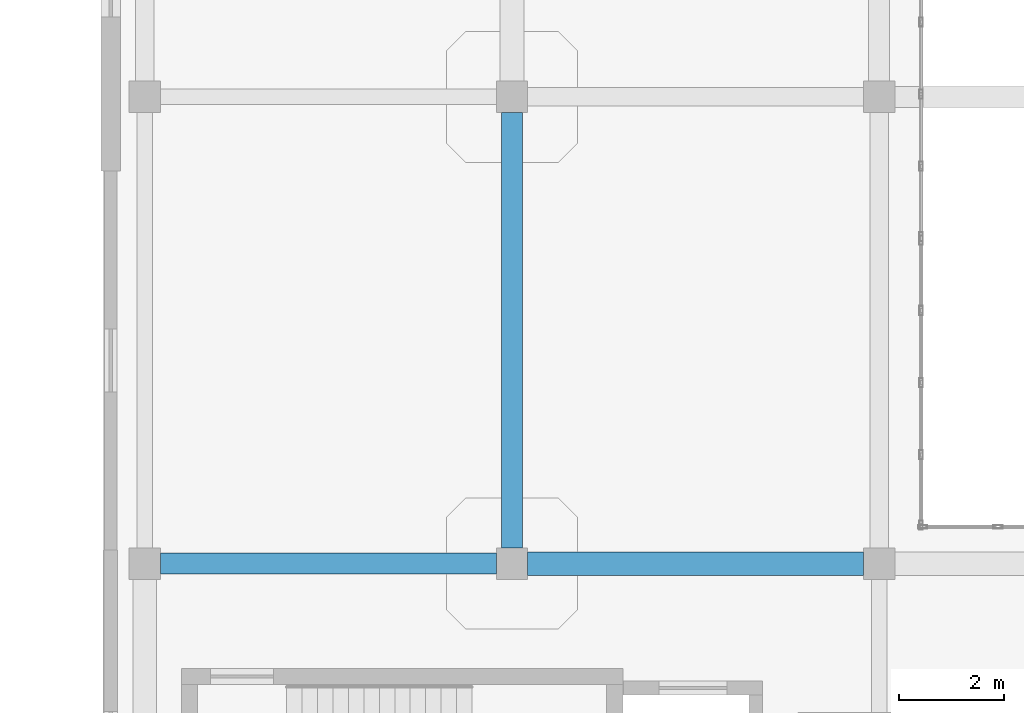
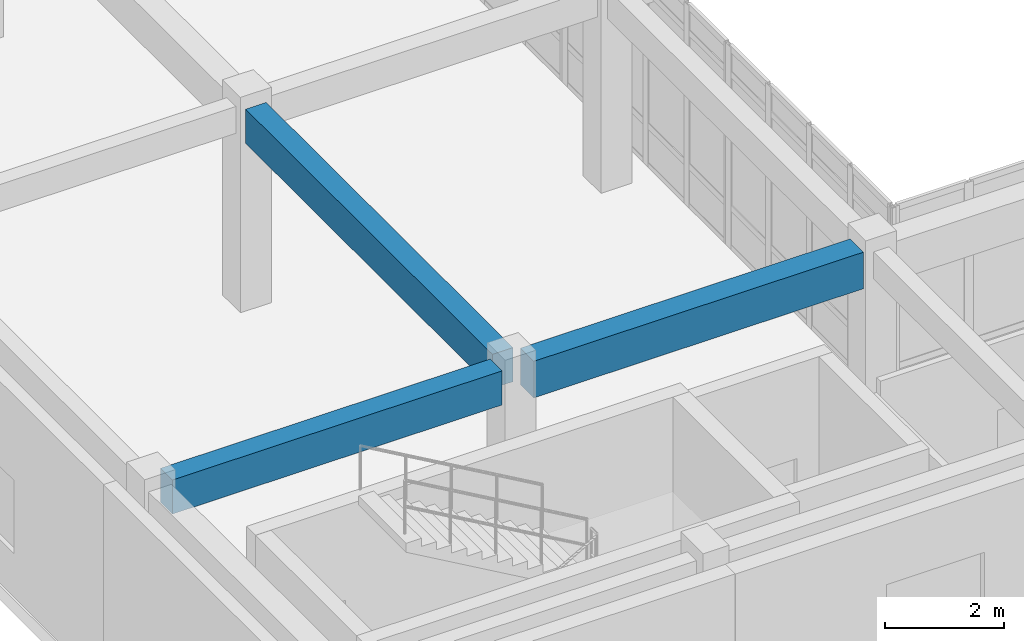
# One storey, part 69 of 142: 3 beams.
"""IFC4 building model written with IfcOpenShell, lengths in metres."""

from ifc_helpers import new_model, si_unit, direction, frame, origin, origin_2d, place, context, subcontext, project, spatial, rectangle, extrude, material, material_profile, profile_set, type_object, element, save


model = new_model("IFC4")

# Units and contexts
model_context = context("Model", 3, precision=1e-05, world=origin(), true_north=direction((0.0, 1.0)))
body_context = subcontext(model_context, "Body", "Model", "MODEL_VIEW")
ifc_project = project(units=[si_unit("LENGTHUNIT", "METRE"), si_unit("AREAUNIT", "SQUARE_METRE"), si_unit("VOLUMEUNIT", "CUBIC_METRE"), si_unit("PLANEANGLEUNIT", "RADIAN"), si_unit("MASSUNIT", "GRAM", prefix="KILO")], contexts=[model_context])

# Site, building, storey
site_placement = place(None, origin())
site = spatial("IfcSite", under=ifc_project, at=site_placement, CompositionType="ELEMENT")
building_placement = place(site_placement, origin())
building = spatial("IfcBuilding", under=site, at=building_placement, Name="Valcora Specialist Clinic", CompositionType="ELEMENT")
storey_placement = place(building_placement, frame((0.0, 0.0, 5.10009765625)))
storey = spatial("IfcBuildingStorey", under=building, at=storey_placement, Name="L01", CompositionType="ELEMENT", Elevation=5.10009765625)

# Beams
ifc_material = material(Name="Concrete C40/50", Category="concrete")
ifc_material_profile_1 = material_profile(ifc_material, rectangle(XDim=0.39990234375, YDim=0.699951171875, at=origin_2d()), Name="RC-BM-400X700")
ifc_profile_set_1 = profile_set([ifc_material_profile_1], Name="Concrete C40/50")
beam_type_1 = type_object("IfcBeamType", Name="TY-BM-RC400X700", PredefinedType="BEAM", material=ifc_profile_set_1)
beam_1_placement = place(storey_placement, frame((62.300048828125, 81.300048828125, 3.794921875), z_axis=(1.0, 0.0, 0.0), x_axis=(0.0, 1.0, 0.0)))
element("IfcBeam", 1, at=beam_1_placement, inside=storey, type_object=beam_type_1, Name="Beam BM-L01-0622", PredefinedType="BEAM", context=body_context, shape_type="SweptSolid", body=[
    extrude(rectangle(XDim=0.39990234375, YDim=0.699951171875, at=origin_2d()), origin(), (0.0, 0.0, 1.0), 6.39990234375),
])
beam_2_placement = place(storey_placement, frame((69.0, 81.60009765625, 3.794921875), z_axis=(0.0, 1.0, 0.0), x_axis=(-1.0, 0.0, 0.0)))
element("IfcBeam", 2, at=beam_2_placement, inside=storey, type_object=beam_type_1, Name="Beam BM-L01-0662", PredefinedType="BEAM", context=body_context, shape_type="SweptSolid", body=[
    extrude(rectangle(XDim=0.39990234375, YDim=0.699951171875, at=origin_2d()), origin(), (0.0, 0.0, 1.0), 8.2998046875),
])
ifc_material_profile_2 = material_profile(ifc_material, rectangle(XDim=0.449951171875, YDim=0.75, at=origin_2d()), Name="RC-BM-450X750")
ifc_profile_set_2 = profile_set([ifc_material_profile_2], Name="Concrete C40/50")
beam_type_2 = type_object("IfcBeamType", Name="TY-BM-RC450X750", PredefinedType="BEAM", material=ifc_profile_set_2)
beam_3_placement = place(storey_placement, frame((69.300048828125, 81.300048828125, 3.77001953125), z_axis=(1.0, 0.0, 0.0), x_axis=(0.0, 1.0, 0.0)))
element("IfcBeam", 3, at=beam_3_placement, inside=storey, type_object=beam_type_2, Name="Beam BM-L01-0623", PredefinedType="BEAM", context=body_context, shape_type="SweptSolid", body=[
    extrude(rectangle(XDim=0.449951171875, YDim=0.75, at=origin_2d()), origin(), (0.0, 0.0, 1.0), 6.39990234375),
])

save(model, "model.ifc")
